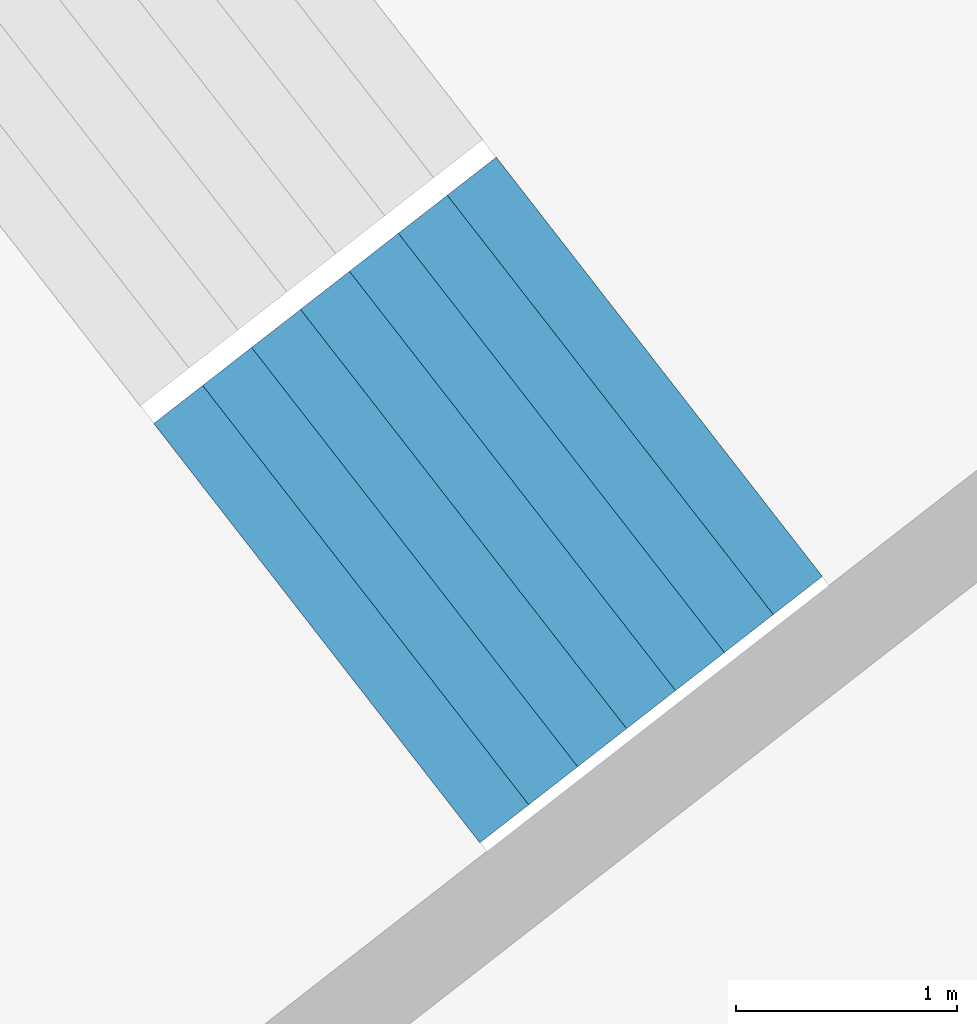
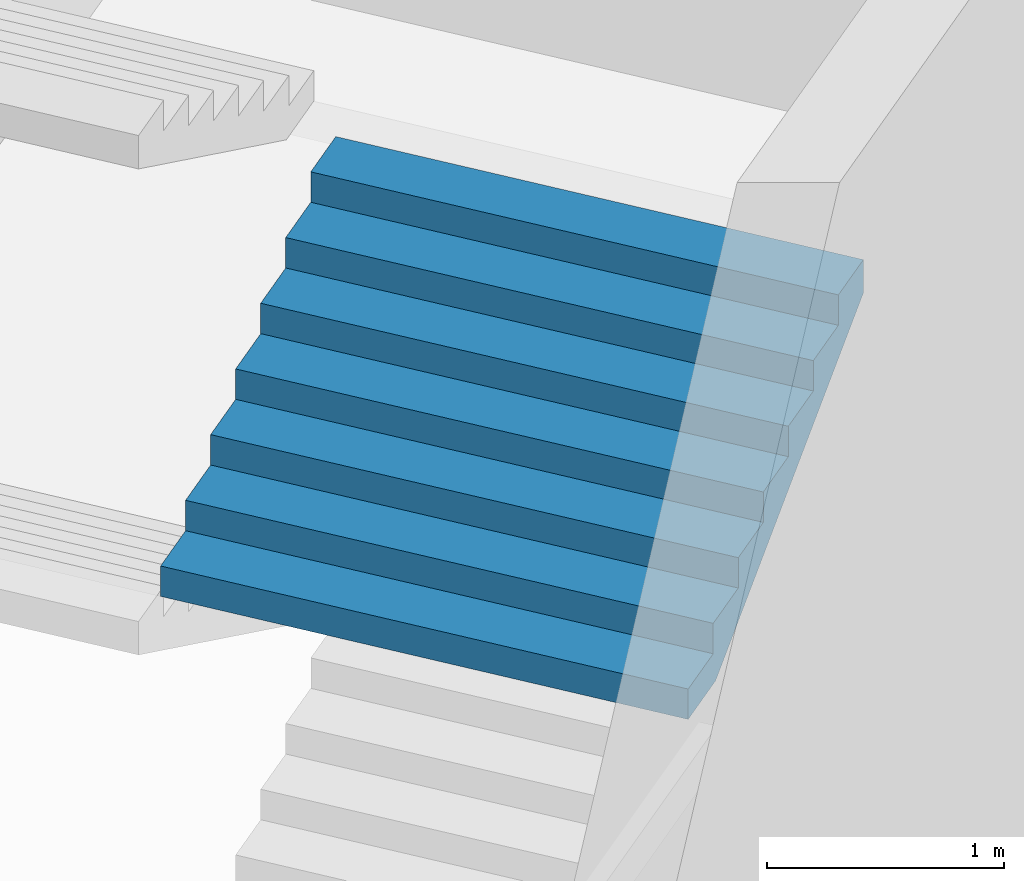
# One storey, part 62 of 73: 1 stair flight, 1 element without a shape of its own.
"""IFC4 building model written with IfcOpenShell, lengths in metres."""

from ifc_helpers import new_model, si_unit, direction, frame, origin, place, context, subcontext, project, spatial, triangles, material, type_object, element, aggregate, save


model = new_model("IFC4")

# Units and contexts
model_context = context("Model", 3, precision=1e-05, world=origin(), true_north=direction((0.0, 1.0)))
body_context = subcontext(model_context, "Body", "Model", "MODEL_VIEW")
ifc_project = project(units=[si_unit("LENGTHUNIT", "METRE"), si_unit("AREAUNIT", "SQUARE_METRE"), si_unit("VOLUMEUNIT", "CUBIC_METRE"), si_unit("PLANEANGLEUNIT", "RADIAN"), si_unit("MASSUNIT", "GRAM", prefix="KILO")], contexts=[model_context])

# Site, building, storey
site_placement = place(None, origin())
site = spatial("IfcSite", under=ifc_project, at=site_placement, CompositionType="ELEMENT")
building_placement = place(site_placement, origin())
building = spatial("IfcBuilding", under=site, at=building_placement, Name="Lantaw Convention Tower", CompositionType="ELEMENT")
storey_placement = place(building_placement, frame((0.0, 0.0, 22.0)))
storey = spatial("IfcBuildingStorey", under=building, at=storey_placement, Name="L03", CompositionType="ELEMENT", Elevation=22.0)

# Stair, stair flight
ifc_material = material(Name="Concrete C35/45", Category="concrete")
stair_type = type_object("IfcStairType", Name="Exit stair 2400 riser 156.25 in 4 flights", PredefinedType="HALF_TURN_STAIR", material=ifc_material)
stair_placement = place(storey_placement, origin())
stair = element("IfcStair", 1, at=stair_placement, inside=storey, type_object=stair_type, Name="Podium exit stair P3 L03", PredefinedType="HALF_TURN_STAIR")
stair_flight_type = type_object("IfcStairFlightType", Name="Stair flight 2400 riser 156.25", PredefinedType="STRAIGHT", material=ifc_material)
stair_flight_placement = place(storey_placement, frame((29.494384765625, 21.3544921875, 2.5), z_axis=(0.0, 0.0, 1.0), x_axis=(0.789378829664, 0.613906396186, 0.0)))
stair_flight = element("IfcStairFlight", 2, at=stair_flight_placement, type_object=stair_flight_type, Name="P3 flight 3", NumberOfRisers=8, NumberOfTreads=7, PredefinedType="STRAIGHT", RiserHeight=0.15625, TreadLength=0.28, context=body_context, shape_type="Tessellation", body=[
    triangles([(0.0, 1.199951171875, 0.0), (0.0, 1.199951171875, 0.15625), (0.28, 1.199951171875, 0.0), (0.28, 1.199951171875, 0.15625), (0.28, 1.199951171875, 0.3125), (0.3076200632058044, 1.199951171875, 0.0), (0.3076200632058044, 1.199951171875, 0.3125), (0.56, 1.199951171875, 0.14083701830033238), (0.56, 1.199951171875, 0.3125), (0.56, 1.199951171875, 0.46875), (0.8400000000000001, 1.199951171875, 0.29708701830033235), (0.8400000000000001, 1.199951171875, 0.46875), (0.8400000000000001, 1.199951171875, 0.625), (1.12, 1.199951171875, 0.45333701830033235), (1.12, 1.199951171875, 0.625), (1.12, 1.199951171875, 0.78125), (1.4000000000000001, 1.199951171875, 0.6095870183003324), (1.4000000000000001, 1.199951171875, 0.78125), (1.4000000000000001, 1.199951171875, 0.9375), (1.6800000000000002, 1.199951171875, 0.7658370183003324), (1.6800000000000002, 1.199951171875, 0.9375), (1.6800000000000002, 1.199951171875, 1.09375), (1.9600000000000002, 1.199951171875, 0.9220870183003324), (1.9600000000000002, 1.199951171875, 1.09375), (0.0, -1.199951171875, 0.0), (0.0, -1.199951171875, 0.15625), (0.28, -1.199951171875, 0.0), (0.28, -1.199951171875, 0.15625), (0.28, -1.199951171875, 0.3125), (0.3076200632058044, -1.199951171875, 0.0), (0.3076200632058044, -1.199951171875, 0.3125), (0.56, -1.199951171875, 0.14083701830033238), (0.56, -1.199951171875, 0.3125), (0.56, -1.199951171875, 0.46875), (0.8400000000000001, -1.199951171875, 0.29708701830033235), (0.8400000000000001, -1.199951171875, 0.46875), (0.8400000000000001, -1.199951171875, 0.625), (1.12, -1.199951171875, 0.45333701830033235), (1.12, -1.199951171875, 0.625), (1.12, -1.199951171875, 0.78125), (1.4000000000000001, -1.199951171875, 0.6095870183003324), (1.4000000000000001, -1.199951171875, 0.78125), (1.4000000000000001, -1.199951171875, 0.9375), (1.6800000000000002, -1.199951171875, 0.7658370183003324), (1.6800000000000002, -1.199951171875, 0.9375), (1.6800000000000002, -1.199951171875, 1.09375), (1.9600000000000002, -1.199951171875, 0.9220870183003324), (1.9600000000000002, -1.199951171875, 1.09375), (0.0, 0.239990234375, 0.15625), (0.0, 0.239990234375, 0.0), (0.0, 0.1919921875, 0.15625), (0.0, 0.1919921875, 0.0), (0.0, 0.143994140625, 0.15625), (0.0, 0.143994140625, 0.0), (0.0, 0.09599609375, 0.15625), (0.0, 0.09599609375, 0.0), (0.0, 0.047998046875, 0.15625), (0.0, 0.047998046875, 0.0), (0.0, 0.0, 0.15625), (0.0, 0.0, 0.0), (0.0, -0.047998046875, 0.15625), (0.0, -0.047998046875, 0.0), (0.0, -0.09599609375, 0.15625), (0.0, -0.09599609375, 0.0), (0.0, -0.143994140625, 0.15625), (0.0, -0.143994140625, 0.0), (0.0, -0.1919921875, 0.15625), (0.0, -0.1919921875, 0.0), (0.0, -0.239990234375, 0.15625), (0.0, -0.239990234375, 0.0), (0.28, 0.239990234375, 0.3125), (0.28, 0.239990234375, 0.15625), (0.28, 0.1919921875, 0.3125), (0.28, 0.1919921875, 0.15625), (0.28, 0.143994140625, 0.3125), (0.28, 0.143994140625, 0.15625), (0.28, 0.09599609375, 0.3125), (0.28, 0.09599609375, 0.15625), (0.28, 0.047998046875, 0.3125), (0.28, 0.047998046875, 0.15625), (0.28, 0.0, 0.3125), (0.28, 0.0, 0.15625), (0.28, -0.047998046875, 0.3125), (0.28, -0.047998046875, 0.15625), (0.28, -0.09599609375, 0.3125), (0.28, -0.09599609375, 0.15625), (0.28, -0.143994140625, 0.3125), (0.28, -0.143994140625, 0.15625), (0.28, -0.1919921875, 0.3125), (0.28, -0.1919921875, 0.15625), (0.28, -0.239990234375, 0.3125), (0.28, -0.239990234375, 0.15625), (0.56, 0.239990234375, 0.46875), (0.56, 0.239990234375, 0.3125), (0.56, 0.1919921875, 0.46875), (0.56, 0.1919921875, 0.3125), (0.56, 0.143994140625, 0.46875), (0.56, 0.143994140625, 0.3125), (0.56, 0.09599609375, 0.46875), (0.56, 0.09599609375, 0.3125), (0.56, 0.047998046875, 0.46875), (0.56, 0.047998046875, 0.3125), (0.56, 0.0, 0.46875), (0.56, 0.0, 0.3125), (0.56, -0.047998046875, 0.46875), (0.56, -0.047998046875, 0.3125), (0.56, -0.09599609375, 0.46875), (0.56, -0.09599609375, 0.3125), (0.56, -0.143994140625, 0.46875), (0.56, -0.143994140625, 0.3125), (0.56, -0.1919921875, 0.46875), (0.56, -0.1919921875, 0.3125), (0.56, -0.239990234375, 0.46875), (0.56, -0.239990234375, 0.3125), (0.8400000000000001, 0.239990234375, 0.625), (0.8400000000000001, 0.239990234375, 0.46875), (0.8400000000000001, 0.1919921875, 0.625), (0.8400000000000001, 0.1919921875, 0.46875), (0.8400000000000001, 0.143994140625, 0.625), (0.8400000000000001, 0.143994140625, 0.46875), (0.8400000000000001, 0.09599609375, 0.625), (0.8400000000000001, 0.09599609375, 0.46875), (0.8400000000000001, 0.047998046875, 0.625), (0.8400000000000001, 0.047998046875, 0.46875), (0.8400000000000001, 0.0, 0.625), (0.8400000000000001, 0.0, 0.46875), (0.8400000000000001, -0.047998046875, 0.625), (0.8400000000000001, -0.047998046875, 0.46875), (0.8400000000000001, -0.09599609375, 0.625), (0.8400000000000001, -0.09599609375, 0.46875), (0.8400000000000001, -0.143994140625, 0.625), (0.8400000000000001, -0.143994140625, 0.46875), (0.8400000000000001, -0.1919921875, 0.625), (0.8400000000000001, -0.1919921875, 0.46875), (0.8400000000000001, -0.239990234375, 0.625), (0.8400000000000001, -0.239990234375, 0.46875), (1.12, 0.239990234375, 0.78125), (1.12, 0.239990234375, 0.625), (1.12, 0.1919921875, 0.78125), (1.12, 0.1919921875, 0.625), (1.12, 0.143994140625, 0.78125), (1.12, 0.143994140625, 0.625), (1.12, 0.09599609375, 0.78125), (1.12, 0.09599609375, 0.625), (1.12, 0.047998046875, 0.78125), (1.12, 0.047998046875, 0.625), (1.12, 0.0, 0.78125), (1.12, 0.0, 0.625), (1.12, -0.047998046875, 0.78125), (1.12, -0.047998046875, 0.625), (1.12, -0.09599609375, 0.78125), (1.12, -0.09599609375, 0.625), (1.12, -0.143994140625, 0.78125), (1.12, -0.143994140625, 0.625), (1.12, -0.1919921875, 0.78125), (1.12, -0.1919921875, 0.625), (1.12, -0.239990234375, 0.78125), (1.12, -0.239990234375, 0.625), (1.4000000000000001, 0.239990234375, 0.9375), (1.4000000000000001, 0.239990234375, 0.78125), (1.4000000000000001, 0.1919921875, 0.9375), (1.4000000000000001, 0.1919921875, 0.78125), (1.4000000000000001, 0.143994140625, 0.9375), (1.4000000000000001, 0.143994140625, 0.78125), (1.4000000000000001, 0.09599609375, 0.9375), (1.4000000000000001, 0.09599609375, 0.78125), (1.4000000000000001, 0.047998046875, 0.9375), (1.4000000000000001, 0.047998046875, 0.78125), (1.4000000000000001, 0.0, 0.9375), (1.4000000000000001, 0.0, 0.78125), (1.4000000000000001, -0.047998046875, 0.9375), (1.4000000000000001, -0.047998046875, 0.78125), (1.4000000000000001, -0.09599609375, 0.9375), (1.4000000000000001, -0.09599609375, 0.78125), (1.4000000000000001, -0.143994140625, 0.9375), (1.4000000000000001, -0.143994140625, 0.78125), (1.4000000000000001, -0.1919921875, 0.9375), (1.4000000000000001, -0.1919921875, 0.78125), (1.4000000000000001, -0.239990234375, 0.9375), (1.4000000000000001, -0.239990234375, 0.78125), (1.6800000000000002, 0.239990234375, 1.09375), (1.6800000000000002, 0.239990234375, 0.9375), (1.6800000000000002, 0.1919921875, 1.09375), (1.6800000000000002, 0.1919921875, 0.9375), (1.6800000000000002, 0.143994140625, 1.09375), (1.6800000000000002, 0.143994140625, 0.9375), (1.6800000000000002, 0.09599609375, 1.09375), (1.6800000000000002, 0.09599609375, 0.9375), (1.6800000000000002, 0.047998046875, 1.09375), (1.6800000000000002, 0.047998046875, 0.9375), (1.6800000000000002, 0.0, 1.09375), (1.6800000000000002, 0.0, 0.9375), (1.6800000000000002, -0.047998046875, 1.09375), (1.6800000000000002, -0.047998046875, 0.9375), (1.6800000000000002, -0.09599609375, 1.09375), (1.6800000000000002, -0.09599609375, 0.9375), (1.6800000000000002, -0.143994140625, 1.09375), (1.6800000000000002, -0.143994140625, 0.9375), (1.6800000000000002, -0.1919921875, 1.09375), (1.6800000000000002, -0.1919921875, 0.9375), (1.6800000000000002, -0.239990234375, 1.09375), (1.6800000000000002, -0.239990234375, 0.9375), (0.3076200632058044, 0.239990234375, 0.3125), (0.3076200632058044, 0.1919921875, 0.3125), (0.3076200632058044, 0.143994140625, 0.3125), (0.3076200632058044, 0.09599609375, 0.3125), (0.3076200632058044, 0.047998046875, 0.3125), (0.3076200632058044, 0.0, 0.3125), (0.3076200632058044, -0.047998046875, 0.3125), (0.3076200632058044, -0.09599609375, 0.3125), (0.3076200632058044, -0.143994140625, 0.3125), (0.3076200632058044, -0.1919921875, 0.3125), (0.3076200632058044, -0.239990234375, 0.3125), (1.9600000000000002, 0.239990234375, 1.09375), (1.9600000000000002, 0.1919921875, 1.09375), (1.9600000000000002, 0.143994140625, 1.09375), (1.9600000000000002, 0.09599609375, 1.09375), (1.9600000000000002, 0.047998046875, 1.09375), (1.9600000000000002, 0.0, 1.09375), (1.9600000000000002, -0.047998046875, 1.09375), (1.9600000000000002, -0.09599609375, 1.09375), (1.9600000000000002, -0.143994140625, 1.09375), (1.9600000000000002, -0.1919921875, 1.09375), (1.9600000000000002, -0.239990234375, 1.09375), (1.9600000000000002, 0.239990234375, 0.9220870183003324), (1.9600000000000002, 0.1919921875, 0.9220870183003324), (1.9600000000000002, 0.143994140625, 0.9220870183003324), (1.9600000000000002, 0.09599609375, 0.9220870183003324), (1.9600000000000002, 0.047998046875, 0.9220870183003324), (1.9600000000000002, 0.0, 0.9220870183003324), (1.9600000000000002, -0.047998046875, 0.9220870183003324), (1.9600000000000002, -0.09599609375, 0.9220870183003324), (1.9600000000000002, -0.143994140625, 0.9220870183003324), (1.9600000000000002, -0.1919921875, 0.9220870183003324), (1.9600000000000002, -0.239990234375, 0.9220870183003324), (1.6800000000000002, 0.239990234375, 0.7658370183003324), (1.6800000000000002, 0.1919921875, 0.7658370183003324), (1.6800000000000002, 0.143994140625, 0.7658370183003324), (1.6800000000000002, 0.09599609375, 0.7658370183003324), (1.6800000000000002, 0.047998046875, 0.7658370183003324), (1.6800000000000002, 0.0, 0.7658370183003324), (1.6800000000000002, -0.047998046875, 0.7658370183003324), (1.6800000000000002, -0.09599609375, 0.7658370183003324), (1.6800000000000002, -0.143994140625, 0.7658370183003324), (1.6800000000000002, -0.1919921875, 0.7658370183003324), (1.6800000000000002, -0.239990234375, 0.7658370183003324), (1.4000000000000001, 0.239990234375, 0.6095870183003324), (1.4000000000000001, 0.1919921875, 0.6095870183003324), (1.4000000000000001, 0.143994140625, 0.6095870183003324), (1.4000000000000001, 0.09599609375, 0.6095870183003324), (1.4000000000000001, 0.047998046875, 0.6095870183003324), (1.4000000000000001, 0.0, 0.6095870183003324), (1.4000000000000001, -0.047998046875, 0.6095870183003324), (1.4000000000000001, -0.09599609375, 0.6095870183003324), (1.4000000000000001, -0.143994140625, 0.6095870183003324), (1.4000000000000001, -0.1919921875, 0.6095870183003324), (1.4000000000000001, -0.239990234375, 0.6095870183003324), (1.12, 0.239990234375, 0.45333701830033235), (1.12, 0.1919921875, 0.45333701830033235), (1.12, 0.143994140625, 0.45333701830033235), (1.12, 0.09599609375, 0.45333701830033235), (1.12, 0.047998046875, 0.45333701830033235), (1.12, 0.0, 0.45333701830033235), (1.12, -0.047998046875, 0.45333701830033235), (1.12, -0.09599609375, 0.45333701830033235), (1.12, -0.143994140625, 0.45333701830033235), (1.12, -0.1919921875, 0.45333701830033235), (1.12, -0.239990234375, 0.45333701830033235), (0.8400000000000001, 0.239990234375, 0.29708701830033235), (0.8400000000000001, 0.1919921875, 0.29708701830033235), (0.8400000000000001, 0.143994140625, 0.29708701830033235), (0.8400000000000001, 0.09599609375, 0.29708701830033235), (0.8400000000000001, 0.047998046875, 0.29708701830033235), (0.8400000000000001, 0.0, 0.29708701830033235), (0.8400000000000001, -0.047998046875, 0.29708701830033235), (0.8400000000000001, -0.09599609375, 0.29708701830033235), (0.8400000000000001, -0.143994140625, 0.29708701830033235), (0.8400000000000001, -0.1919921875, 0.29708701830033235), (0.8400000000000001, -0.239990234375, 0.29708701830033235), (0.56, 0.239990234375, 0.14083701830033238), (0.56, 0.1919921875, 0.14083701830033238), (0.56, 0.143994140625, 0.14083701830033238), (0.56, 0.09599609375, 0.14083701830033238), (0.56, 0.047998046875, 0.14083701830033238), (0.56, 0.0, 0.14083701830033238), (0.56, -0.047998046875, 0.14083701830033238), (0.56, -0.09599609375, 0.14083701830033238), (0.56, -0.143994140625, 0.14083701830033238), (0.56, -0.1919921875, 0.14083701830033238), (0.56, -0.239990234375, 0.14083701830033238), (0.3076200632058044, 0.239990234375, 0.0), (0.3076200632058044, 0.1919921875, 0.0), (0.3076200632058044, 0.143994140625, 0.0), (0.3076200632058044, 0.09599609375, 0.0), (0.3076200632058044, 0.047998046875, 0.0), (0.3076200632058044, 0.0, 0.0), (0.3076200632058044, -0.047998046875, 0.0), (0.3076200632058044, -0.09599609375, 0.0), (0.3076200632058044, -0.143994140625, 0.0), (0.3076200632058044, -0.1919921875, 0.0), (0.3076200632058044, -0.239990234375, 0.0), (0.28, 0.239990234375, 0.0), (0.28, 0.1919921875, 0.0), (0.28, 0.143994140625, 0.0), (0.28, 0.09599609375, 0.0), (0.28, 0.047998046875, 0.0), (0.28, 0.0, 0.0), (0.28, -0.047998046875, 0.0), (0.28, -0.09599609375, 0.0), (0.28, -0.143994140625, 0.0), (0.28, -0.1919921875, 0.0), (0.28, -0.239990234375, 0.0)], [[1, 4, 3], [1, 2, 4], [3, 4, 6], [4, 7, 6], [4, 5, 7], [6, 9, 8], [6, 7, 9], [8, 9, 11], [9, 12, 11], [9, 10, 12], [11, 12, 14], [12, 15, 14], [12, 13, 15], [14, 15, 17], [15, 18, 17], [15, 16, 18], [17, 18, 20], [18, 21, 20], [18, 19, 21], [20, 21, 23], [21, 24, 23], [21, 22, 24], [25, 27, 28], [25, 28, 26], [27, 30, 28], [28, 30, 31], [28, 31, 29], [30, 32, 33], [30, 33, 31], [32, 35, 33], [33, 35, 36], [33, 36, 34], [35, 38, 36], [36, 38, 39], [36, 39, 37], [38, 41, 39], [39, 41, 42], [39, 42, 40], [41, 44, 42], [42, 44, 45], [42, 45, 43], [44, 47, 45], [45, 47, 48], [45, 48, 46], [1, 49, 2], [1, 50, 49], [50, 51, 49], [50, 52, 51], [52, 53, 51], [52, 54, 53], [54, 55, 53], [54, 56, 55], [56, 57, 55], [56, 58, 57], [58, 59, 57], [58, 60, 59], [60, 61, 59], [60, 62, 61], [62, 63, 61], [62, 64, 63], [64, 65, 63], [64, 66, 65], [66, 67, 65], [66, 68, 67], [68, 69, 67], [68, 70, 69], [70, 26, 69], [70, 25, 26], [4, 71, 5], [4, 72, 71], [72, 73, 71], [72, 74, 73], [74, 75, 73], [74, 76, 75], [76, 77, 75], [76, 78, 77], [78, 79, 77], [78, 80, 79], [80, 81, 79], [80, 82, 81], [82, 83, 81], [82, 84, 83], [84, 85, 83], [84, 86, 85], [86, 87, 85], [86, 88, 87], [88, 89, 87], [88, 90, 89], [90, 91, 89], [90, 92, 91], [92, 29, 91], [92, 28, 29], [9, 93, 10], [9, 94, 93], [94, 95, 93], [94, 96, 95], [96, 97, 95], [96, 98, 97], [98, 99, 97], [98, 100, 99], [100, 101, 99], [100, 102, 101], [102, 103, 101], [102, 104, 103], [104, 105, 103], [104, 106, 105], [106, 107, 105], [106, 108, 107], [108, 109, 107], [108, 110, 109], [110, 111, 109], [110, 112, 111], [112, 113, 111], [112, 114, 113], [114, 34, 113], [114, 33, 34], [12, 115, 13], [12, 116, 115], [116, 117, 115], [116, 118, 117], [118, 119, 117], [118, 120, 119], [120, 121, 119], [120, 122, 121], [122, 123, 121], [122, 124, 123], [124, 125, 123], [124, 126, 125], [126, 127, 125], [126, 128, 127], [128, 129, 127], [128, 130, 129], [130, 131, 129], [130, 132, 131], [132, 133, 131], [132, 134, 133], [134, 135, 133], [134, 136, 135], [136, 37, 135], [136, 36, 37], [15, 137, 16], [15, 138, 137], [138, 139, 137], [138, 140, 139], [140, 141, 139], [140, 142, 141], [142, 143, 141], [142, 144, 143], [144, 145, 143], [144, 146, 145], [146, 147, 145], [146, 148, 147], [148, 149, 147], [148, 150, 149], [150, 151, 149], [150, 152, 151], [152, 153, 151], [152, 154, 153], [154, 155, 153], [154, 156, 155], [156, 157, 155], [156, 158, 157], [158, 40, 157], [158, 39, 40], [18, 159, 19], [18, 160, 159], [160, 161, 159], [160, 162, 161], [162, 163, 161], [162, 164, 163], [164, 165, 163], [164, 166, 165], [166, 167, 165], [166, 168, 167], [168, 169, 167], [168, 170, 169], [170, 171, 169], [170, 172, 171], [172, 173, 171], [172, 174, 173], [174, 175, 173], [174, 176, 175], [176, 177, 175], [176, 178, 177], [178, 179, 177], [178, 180, 179], [180, 43, 179], [180, 42, 43], [21, 181, 22], [21, 182, 181], [182, 183, 181], [182, 184, 183], [184, 185, 183], [184, 186, 185], [186, 187, 185], [186, 188, 187], [188, 189, 187], [188, 190, 189], [190, 191, 189], [190, 192, 191], [192, 193, 191], [192, 194, 193], [194, 195, 193], [194, 196, 195], [196, 197, 195], [196, 198, 197], [198, 199, 197], [198, 200, 199], [200, 201, 199], [200, 202, 201], [202, 46, 201], [202, 45, 46], [2, 72, 4], [2, 49, 72], [49, 74, 72], [49, 51, 74], [51, 76, 74], [51, 53, 76], [53, 78, 76], [53, 55, 78], [55, 80, 78], [55, 57, 80], [57, 82, 80], [57, 59, 82], [59, 84, 82], [59, 61, 84], [61, 86, 84], [61, 63, 86], [63, 88, 86], [63, 65, 88], [65, 90, 88], [65, 67, 90], [67, 92, 90], [67, 69, 92], [69, 28, 92], [69, 26, 28], [5, 203, 7], [5, 71, 203], [71, 204, 203], [71, 73, 204], [73, 205, 204], [73, 75, 205], [75, 206, 205], [75, 77, 206], [77, 207, 206], [77, 79, 207], [79, 208, 207], [79, 81, 208], [81, 209, 208], [81, 83, 209], [83, 210, 209], [83, 85, 210], [85, 211, 210], [85, 87, 211], [87, 212, 211], [87, 89, 212], [89, 213, 212], [89, 91, 213], [91, 31, 213], [91, 29, 31], [7, 94, 9], [7, 203, 94], [203, 96, 94], [203, 204, 96], [204, 98, 96], [204, 205, 98], [205, 100, 98], [205, 206, 100], [206, 102, 100], [206, 207, 102], [207, 104, 102], [207, 208, 104], [208, 106, 104], [208, 209, 106], [209, 108, 106], [209, 210, 108], [210, 110, 108], [210, 211, 110], [211, 112, 110], [211, 212, 112], [212, 114, 112], [212, 213, 114], [213, 33, 114], [213, 31, 33], [10, 116, 12], [10, 93, 116], [93, 118, 116], [93, 95, 118], [95, 120, 118], [95, 97, 120], [97, 122, 120], [97, 99, 122], [99, 124, 122], [99, 101, 124], [101, 126, 124], [101, 103, 126], [103, 128, 126], [103, 105, 128], [105, 130, 128], [105, 107, 130], [107, 132, 130], [107, 109, 132], [109, 134, 132], [109, 111, 134], [111, 136, 134], [111, 113, 136], [113, 36, 136], [113, 34, 36], [13, 138, 15], [13, 115, 138], [115, 140, 138], [115, 117, 140], [117, 142, 140], [117, 119, 142], [119, 144, 142], [119, 121, 144], [121, 146, 144], [121, 123, 146], [123, 148, 146], [123, 125, 148], [125, 150, 148], [125, 127, 150], [127, 152, 150], [127, 129, 152], [129, 154, 152], [129, 131, 154], [131, 156, 154], [131, 133, 156], [133, 158, 156], [133, 135, 158], [135, 39, 158], [135, 37, 39], [16, 160, 18], [16, 137, 160], [137, 162, 160], [137, 139, 162], [139, 164, 162], [139, 141, 164], [141, 166, 164], [141, 143, 166], [143, 168, 166], [143, 145, 168], [145, 170, 168], [145, 147, 170], [147, 172, 170], [147, 149, 172], [149, 174, 172], [149, 151, 174], [151, 176, 174], [151, 153, 176], [153, 178, 176], [153, 155, 178], [155, 180, 178], [155, 157, 180], [157, 42, 180], [157, 40, 42], [19, 182, 21], [19, 159, 182], [159, 184, 182], [159, 161, 184], [161, 186, 184], [161, 163, 186], [163, 188, 186], [163, 165, 188], [165, 190, 188], [165, 167, 190], [167, 192, 190], [167, 169, 192], [169, 194, 192], [169, 171, 194], [171, 196, 194], [171, 173, 196], [173, 198, 196], [173, 175, 198], [175, 200, 198], [175, 177, 200], [177, 202, 200], [177, 179, 202], [179, 45, 202], [179, 43, 45], [22, 214, 24], [22, 181, 214], [181, 215, 214], [181, 183, 215], [183, 216, 215], [183, 185, 216], [185, 217, 216], [185, 187, 217], [187, 218, 217], [187, 189, 218], [189, 219, 218], [189, 191, 219], [191, 220, 219], [191, 193, 220], [193, 221, 220], [193, 195, 221], [195, 222, 221], [195, 197, 222], [197, 223, 222], [197, 199, 223], [199, 224, 223], [199, 201, 224], [201, 48, 224], [201, 46, 48], [24, 225, 23], [24, 214, 225], [214, 226, 225], [214, 215, 226], [215, 227, 226], [215, 216, 227], [216, 228, 227], [216, 217, 228], [217, 229, 228], [217, 218, 229], [218, 230, 229], [218, 219, 230], [219, 231, 230], [219, 220, 231], [220, 232, 231], [220, 221, 232], [221, 233, 232], [221, 222, 233], [222, 234, 233], [222, 223, 234], [223, 235, 234], [223, 224, 235], [224, 47, 235], [224, 48, 47], [23, 236, 20], [23, 225, 236], [225, 237, 236], [225, 226, 237], [226, 238, 237], [226, 227, 238], [227, 239, 238], [227, 228, 239], [228, 240, 239], [228, 229, 240], [229, 241, 240], [229, 230, 241], [230, 242, 241], [230, 231, 242], [231, 243, 242], [231, 232, 243], [232, 244, 243], [232, 233, 244], [233, 245, 244], [233, 234, 245], [234, 246, 245], [234, 235, 246], [235, 44, 246], [235, 47, 44], [20, 247, 17], [20, 236, 247], [236, 248, 247], [236, 237, 248], [237, 249, 248], [237, 238, 249], [238, 250, 249], [238, 239, 250], [239, 251, 250], [239, 240, 251], [240, 252, 251], [240, 241, 252], [241, 253, 252], [241, 242, 253], [242, 254, 253], [242, 243, 254], [243, 255, 254], [243, 244, 255], [244, 256, 255], [244, 245, 256], [245, 257, 256], [245, 246, 257], [246, 41, 257], [246, 44, 41], [17, 258, 14], [17, 247, 258], [247, 259, 258], [247, 248, 259], [248, 260, 259], [248, 249, 260], [249, 261, 260], [249, 250, 261], [250, 262, 261], [250, 251, 262], [251, 263, 262], [251, 252, 263], [252, 264, 263], [252, 253, 264], [253, 265, 264], [253, 254, 265], [254, 266, 265], [254, 255, 266], [255, 267, 266], [255, 256, 267], [256, 268, 267], [256, 257, 268], [257, 38, 268], [257, 41, 38], [14, 269, 11], [14, 258, 269], [258, 270, 269], [258, 259, 270], [259, 271, 270], [259, 260, 271], [260, 272, 271], [260, 261, 272], [261, 273, 272], [261, 262, 273], [262, 274, 273], [262, 263, 274], [263, 275, 274], [263, 264, 275], [264, 276, 275], [264, 265, 276], [265, 277, 276], [265, 266, 277], [266, 278, 277], [266, 267, 278], [267, 279, 278], [267, 268, 279], [268, 35, 279], [268, 38, 35], [11, 280, 8], [11, 269, 280], [269, 281, 280], [269, 270, 281], [270, 282, 281], [270, 271, 282], [271, 283, 282], [271, 272, 283], [272, 284, 283], [272, 273, 284], [273, 285, 284], [273, 274, 285], [274, 286, 285], [274, 275, 286], [275, 287, 286], [275, 276, 287], [276, 288, 287], [276, 277, 288], [277, 289, 288], [277, 278, 289], [278, 290, 289], [278, 279, 290], [279, 32, 290], [279, 35, 32], [8, 291, 6], [8, 280, 291], [280, 292, 291], [280, 281, 292], [281, 293, 292], [281, 282, 293], [282, 294, 293], [282, 283, 294], [283, 295, 294], [283, 284, 295], [284, 296, 295], [284, 285, 296], [285, 297, 296], [285, 286, 297], [286, 298, 297], [286, 287, 298], [287, 299, 298], [287, 288, 299], [288, 300, 299], [288, 289, 300], [289, 301, 300], [289, 290, 301], [290, 30, 301], [290, 32, 30], [6, 302, 3], [6, 291, 302], [291, 303, 302], [291, 292, 303], [292, 304, 303], [292, 293, 304], [293, 305, 304], [293, 294, 305], [294, 306, 305], [294, 295, 306], [295, 307, 306], [295, 296, 307], [296, 308, 307], [296, 297, 308], [297, 309, 308], [297, 298, 309], [298, 310, 309], [298, 299, 310], [299, 311, 310], [299, 300, 311], [300, 312, 311], [300, 301, 312], [301, 27, 312], [301, 30, 27], [3, 50, 1], [3, 302, 50], [302, 52, 50], [302, 303, 52], [303, 54, 52], [303, 304, 54], [304, 56, 54], [304, 305, 56], [305, 58, 56], [305, 306, 58], [306, 60, 58], [306, 307, 60], [307, 62, 60], [307, 308, 62], [308, 64, 62], [308, 309, 64], [309, 66, 64], [309, 310, 66], [310, 68, 66], [310, 311, 68], [311, 70, 68], [311, 312, 70], [312, 25, 70], [312, 27, 25]], closed=True),
])
aggregate(stair, [stair_flight])

save(model, "model.ifc")
